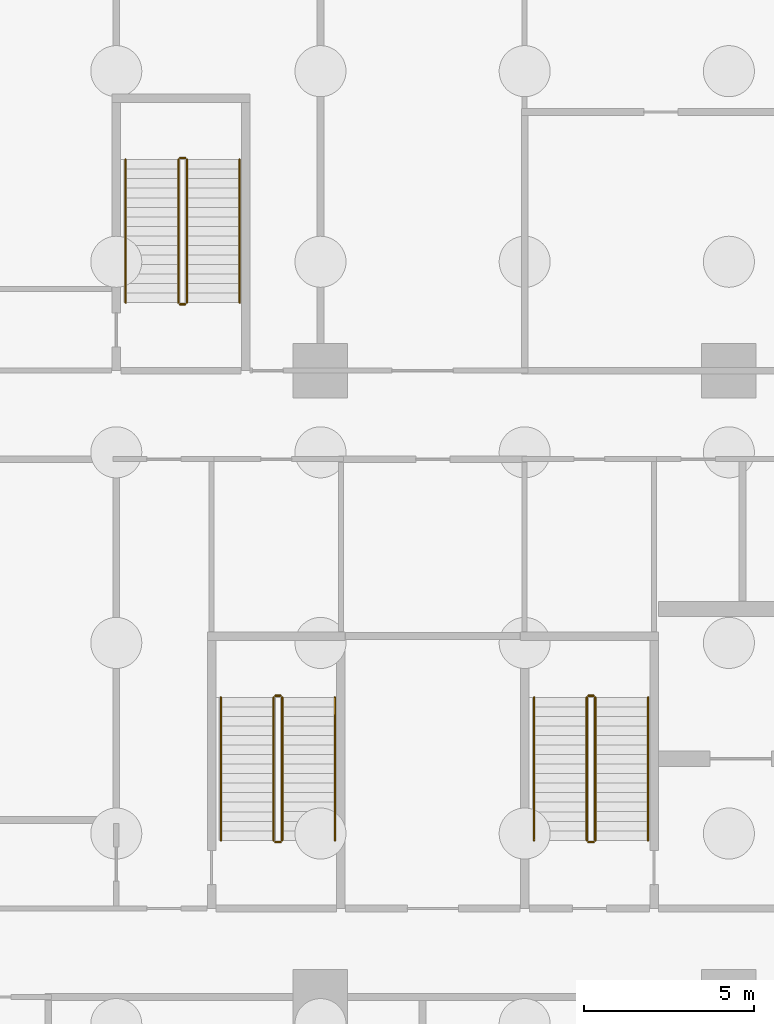
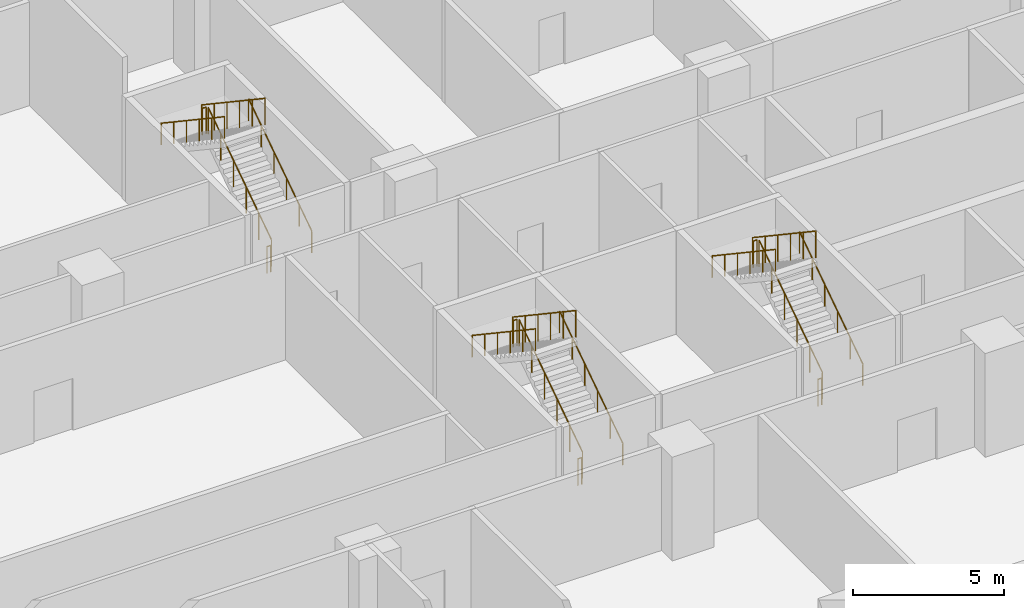
# One storey, part 25 of 27: 18 railings.
"""IFC4 building model written with IfcOpenShell, lengths in metres."""

from ifc_helpers import new_model, si_unit, direction, frame, origin, origin_2d, place, context, subcontext, project, spatial, circle, extrude, material, type_object, element, save


model = new_model("IFC4")

# Units and contexts
model_context = context("Model", 3, precision=1e-05, world=origin(), true_north=direction((0.0, 1.0)))
body_context = subcontext(model_context, "Body", "Model", "MODEL_VIEW")
ifc_project = project(units=[si_unit("LENGTHUNIT", "METRE"), si_unit("AREAUNIT", "SQUARE_METRE"), si_unit("VOLUMEUNIT", "CUBIC_METRE"), si_unit("PLANEANGLEUNIT", "RADIAN"), si_unit("MASSUNIT", "GRAM", prefix="KILO")], contexts=[model_context])

# Site, building, storey
site_placement = place(None, origin())
site = spatial("IfcSite", under=ifc_project, at=site_placement, CompositionType="ELEMENT")
building_placement = place(site_placement, origin())
building = spatial("IfcBuilding", under=site, at=building_placement, Name="Poui Terraces", CompositionType="ELEMENT")
storey_placement = place(building_placement, origin())
storey = spatial("IfcBuildingStorey", under=building, at=storey_placement, Name="L00", CompositionType="ELEMENT", Elevation=0.0)

# Railings
ifc_material_1 = material(Name="Galvanised steel balustrade", Category="steel")
railing_type_1 = type_object("IfcRailingType", Name="STAIR GUARD 1100", PredefinedType="GUARDRAIL", material=ifc_material_1)
railing_1_placement = place(storey_placement, frame((32.074951171875, 16.60009765625, 0.1875)))
element("IfcRailing", 1, at=railing_1_placement, inside=storey, type_object=railing_type_1, Name="L00 ST-CW stair guard 1", PredefinedType="GUARDRAIL", context=body_context, shape_type="SweptSolid", body=[
    extrude(circle(Radius=0.02392578125, at=origin_2d()), frame((0.0, 0.0, 1.076171875), z_axis=(0.0, 0.830904186295, 0.556415522067), x_axis=(-1.0, 0.0, 0.0)), (0.0, 0.0, 1.0), 5.0546875),
    extrude(circle(Radius=0.02099609375, at=origin_2d()), origin(), (0.0, 0.0, 1.0), 1.052001953125),
    extrude(circle(Radius=0.02099609375, at=origin_2d()), frame((0.0, 0.840087890625, 0.5625)), (0.0, 0.0, 1.0), 1.052001953125),
    extrude(circle(Radius=0.02099609375, at=origin_2d()), frame((0.0, 1.679931640625, 1.125)), (0.0, 0.0, 1.0), 1.052001953125),
    extrude(circle(Radius=0.02099609375, at=origin_2d()), frame((0.0, 2.52001953125, 1.6875)), (0.0, 0.0, 1.0), 1.052001953125),
    extrude(circle(Radius=0.02099609375, at=origin_2d()), frame((0.0, 3.35986328125, 2.25)), (0.0, 0.0, 1.0), 1.052001953125),
    extrude(circle(Radius=0.02099609375, at=origin_2d()), frame((0.0, 4.199951171875, 2.8125)), (0.0, 0.0, 1.0), 1.052001953125),
])
railing_2_placement = place(storey_placement, frame((32.02490234375, 20.85009765625, 3.0)))
element("IfcRailing", 2, at=railing_2_placement, inside=storey, type_object=railing_type_1, Name="L00 ST-CW stair guard 2", PredefinedType="GUARDRAIL", context=body_context, shape_type="SweptSolid", body=[
    extrude(circle(Radius=0.02392578125, at=origin_2d()), frame((0.0, 0.0, 1.076171875), z_axis=(-1.0, 0.0, 0.0), x_axis=(0.0, -1.0, 0.0)), (0.0, 0.0, 1.0), 0.14990234375),
    extrude(circle(Radius=0.02099609375, at=origin_2d()), origin(), (0.0, 0.0, 1.0), 1.052001953125),
    extrude(circle(Radius=0.02099609375, at=origin_2d()), frame((-0.14990234375, 0.0, 0.0)), (0.0, 0.0, 1.0), 1.052001953125),
])
railing_3_placement = place(storey_placement, frame((31.824951171875, 20.800048828125, 3.1875)))
element("IfcRailing", 3, at=railing_3_placement, inside=storey, type_object=railing_type_1, Name="L00 ST-CW stair guard 3", PredefinedType="GUARDRAIL", context=body_context, shape_type="SweptSolid", body=[
    extrude(circle(Radius=0.02392578125, at=origin_2d()), frame((0.0, 0.0, 1.076171875), z_axis=(0.0, -0.830904186295, 0.556415522067), x_axis=(1.0, 0.0, 0.0)), (0.0, 0.0, 1.0), 5.0546875),
    extrude(circle(Radius=0.02099609375, at=origin_2d()), origin(), (0.0, 0.0, 1.0), 1.052001953125),
    extrude(circle(Radius=0.02099609375, at=origin_2d()), frame((0.0, -0.840087890625, 0.5625)), (0.0, 0.0, 1.0), 1.052001953125),
    extrude(circle(Radius=0.02099609375, at=origin_2d()), frame((0.0, -1.679931640625, 1.125)), (0.0, 0.0, 1.0), 1.052001953125),
    extrude(circle(Radius=0.02099609375, at=origin_2d()), frame((0.0, -2.52001953125, 1.6875)), (0.0, 0.0, 1.0), 1.052001953125),
    extrude(circle(Radius=0.02099609375, at=origin_2d()), frame((0.0, -3.35986328125, 2.25)), (0.0, 0.0, 1.0), 1.052001953125),
    extrude(circle(Radius=0.02099609375, at=origin_2d()), frame((0.0, -4.199951171875, 2.8125)), (0.0, 0.0, 1.0), 1.052001953125),
])
railing_4_placement = place(storey_placement, frame((32.02490234375, 16.550048828125, 0.0)))
element("IfcRailing", 4, at=railing_4_placement, inside=storey, type_object=railing_type_1, Name="L00 ST-CW stair guard 4", PredefinedType="GUARDRAIL", context=body_context, shape_type="SweptSolid", body=[
    extrude(circle(Radius=0.02392578125, at=origin_2d()), frame((0.0, 0.0, 1.076171875), z_axis=(-1.0, 0.0, 0.0), x_axis=(0.0, -1.0, 0.0)), (0.0, 0.0, 1.0), 0.14990234375),
    extrude(circle(Radius=0.02099609375, at=origin_2d()), origin(), (0.0, 0.0, 1.0), 1.052001953125),
    extrude(circle(Radius=0.02099609375, at=origin_2d()), frame((-0.14990234375, 0.0, 0.0)), (0.0, 0.0, 1.0), 1.052001953125),
])
railing_5_placement = place(storey_placement, frame((22.875, 16.60009765625, 0.1875)))
element("IfcRailing", 5, at=railing_5_placement, inside=storey, type_object=railing_type_1, Name="L00 ST-W stair guard 1", PredefinedType="GUARDRAIL", context=body_context, shape_type="SweptSolid", body=[
    extrude(circle(Radius=0.02392578125, at=origin_2d()), frame((0.0, 0.0, 1.076171875), z_axis=(0.0, 0.830904186295, 0.556415522067), x_axis=(-1.0, 0.0, 0.0)), (0.0, 0.0, 1.0), 5.0546875),
    extrude(circle(Radius=0.02099609375, at=origin_2d()), origin(), (0.0, 0.0, 1.0), 1.052001953125),
    extrude(circle(Radius=0.02099609375, at=origin_2d()), frame((0.0, 0.840087890625, 0.5625)), (0.0, 0.0, 1.0), 1.052001953125),
    extrude(circle(Radius=0.02099609375, at=origin_2d()), frame((0.0, 1.679931640625, 1.125)), (0.0, 0.0, 1.0), 1.052001953125),
    extrude(circle(Radius=0.02099609375, at=origin_2d()), frame((0.0, 2.52001953125, 1.6875)), (0.0, 0.0, 1.0), 1.052001953125),
    extrude(circle(Radius=0.02099609375, at=origin_2d()), frame((0.0, 3.35986328125, 2.25)), (0.0, 0.0, 1.0), 1.052001953125),
    extrude(circle(Radius=0.02099609375, at=origin_2d()), frame((0.0, 4.199951171875, 2.8125)), (0.0, 0.0, 1.0), 1.052001953125),
])
railing_6_placement = place(storey_placement, frame((22.824951171875, 20.85009765625, 3.0)))
element("IfcRailing", 6, at=railing_6_placement, inside=storey, type_object=railing_type_1, Name="L00 ST-W stair guard 2", PredefinedType="GUARDRAIL", context=body_context, shape_type="SweptSolid", body=[
    extrude(circle(Radius=0.02392578125, at=origin_2d()), frame((0.0, 0.0, 1.076171875), z_axis=(-1.0, 0.0, 0.0), x_axis=(0.0, -1.0, 0.0)), (0.0, 0.0, 1.0), 0.14990234375),
    extrude(circle(Radius=0.02099609375, at=origin_2d()), origin(), (0.0, 0.0, 1.0), 1.052001953125),
    extrude(circle(Radius=0.02099609375, at=origin_2d()), frame((-0.14990234375, 0.0, 0.0)), (0.0, 0.0, 1.0), 1.052001953125),
])
railing_7_placement = place(storey_placement, frame((22.625, 20.800048828125, 3.1875)))
element("IfcRailing", 7, at=railing_7_placement, inside=storey, type_object=railing_type_1, Name="L00 ST-W stair guard 3", PredefinedType="GUARDRAIL", context=body_context, shape_type="SweptSolid", body=[
    extrude(circle(Radius=0.02392578125, at=origin_2d()), frame((0.0, 0.0, 1.076171875), z_axis=(0.0, -0.830904186295, 0.556415522067), x_axis=(1.0, 0.0, 0.0)), (0.0, 0.0, 1.0), 5.0546875),
    extrude(circle(Radius=0.02099609375, at=origin_2d()), origin(), (0.0, 0.0, 1.0), 1.052001953125),
    extrude(circle(Radius=0.02099609375, at=origin_2d()), frame((0.0, -0.840087890625, 0.5625)), (0.0, 0.0, 1.0), 1.052001953125),
    extrude(circle(Radius=0.02099609375, at=origin_2d()), frame((0.0, -1.679931640625, 1.125)), (0.0, 0.0, 1.0), 1.052001953125),
    extrude(circle(Radius=0.02099609375, at=origin_2d()), frame((0.0, -2.52001953125, 1.6875)), (0.0, 0.0, 1.0), 1.052001953125),
    extrude(circle(Radius=0.02099609375, at=origin_2d()), frame((0.0, -3.35986328125, 2.25)), (0.0, 0.0, 1.0), 1.052001953125),
    extrude(circle(Radius=0.02099609375, at=origin_2d()), frame((0.0, -4.199951171875, 2.8125)), (0.0, 0.0, 1.0), 1.052001953125),
])
railing_8_placement = place(storey_placement, frame((22.824951171875, 16.550048828125, 0.0)))
element("IfcRailing", 8, at=railing_8_placement, inside=storey, type_object=railing_type_1, Name="L00 ST-W stair guard 4", PredefinedType="GUARDRAIL", context=body_context, shape_type="SweptSolid", body=[
    extrude(circle(Radius=0.02392578125, at=origin_2d()), frame((0.0, 0.0, 1.076171875), z_axis=(-1.0, 0.0, 0.0), x_axis=(0.0, -1.0, 0.0)), (0.0, 0.0, 1.0), 0.14990234375),
    extrude(circle(Radius=0.02099609375, at=origin_2d()), origin(), (0.0, 0.0, 1.0), 1.052001953125),
    extrude(circle(Radius=0.02099609375, at=origin_2d()), frame((-0.14990234375, 0.0, 0.0)), (0.0, 0.0, 1.0), 1.052001953125),
])
railing_9_placement = place(storey_placement, frame((20.074951171875, 32.39990234375, 0.1875)))
element("IfcRailing", 9, at=railing_9_placement, inside=storey, type_object=railing_type_1, Name="L00 ST-N1 stair guard 1", PredefinedType="GUARDRAIL", context=body_context, shape_type="SweptSolid", body=[
    extrude(circle(Radius=0.02392578125, at=origin_2d()), frame((0.0, 0.0, 1.076171875), z_axis=(0.0, 0.830919138977, 0.55639319234), x_axis=(-1.0, 0.0, 0.0)), (0.0, 0.0, 1.0), 5.054931640625),
    extrude(circle(Radius=0.02099609375, at=origin_2d()), origin(), (0.0, 0.0, 1.0), 1.052001953125),
    extrude(circle(Radius=0.02099609375, at=origin_2d()), frame((0.0, 0.840087890625, 0.5625)), (0.0, 0.0, 1.0), 1.052001953125),
    extrude(circle(Radius=0.02099609375, at=origin_2d()), frame((0.0, 1.68017578125, 1.125)), (0.0, 0.0, 1.0), 1.052001953125),
    extrude(circle(Radius=0.02099609375, at=origin_2d()), frame((0.0, 2.52001953125, 1.6875)), (0.0, 0.0, 1.0), 1.052001953125),
    extrude(circle(Radius=0.02099609375, at=origin_2d()), frame((0.0, 3.360107421875, 2.25)), (0.0, 0.0, 1.0), 1.052001953125),
    extrude(circle(Radius=0.02099609375, at=origin_2d()), frame((0.0, 4.2001953125, 2.8125)), (0.0, 0.0, 1.0), 1.052001953125),
])
railing_10_placement = place(storey_placement, frame((20.02490234375, 36.64990234375, 3.0)))
element("IfcRailing", 10, at=railing_10_placement, inside=storey, type_object=railing_type_1, Name="L00 ST-N1 stair guard 2", PredefinedType="GUARDRAIL", context=body_context, shape_type="SweptSolid", body=[
    extrude(circle(Radius=0.02392578125, at=origin_2d()), frame((0.0, 0.0, 1.076171875), z_axis=(-1.0, 0.0, 0.0), x_axis=(0.0, -1.0, 0.0)), (0.0, 0.0, 1.0), 0.14990234375),
    extrude(circle(Radius=0.02099609375, at=origin_2d()), origin(), (0.0, 0.0, 1.0), 1.052001953125),
    extrude(circle(Radius=0.02099609375, at=origin_2d()), frame((-0.14990234375, 0.0, 0.0)), (0.0, 0.0, 1.0), 1.052001953125),
])
railing_11_placement = place(storey_placement, frame((19.824951171875, 36.60009765625, 3.1875)))
element("IfcRailing", 11, at=railing_11_placement, inside=storey, type_object=railing_type_1, Name="L00 ST-N1 stair guard 3", PredefinedType="GUARDRAIL", context=body_context, shape_type="SweptSolid", body=[
    extrude(circle(Radius=0.02392578125, at=origin_2d()), frame((0.0, 0.0, 1.076171875), z_axis=(0.0, -0.830919138977, 0.55639319234), x_axis=(1.0, 0.0, 0.0)), (0.0, 0.0, 1.0), 5.054931640625),
    extrude(circle(Radius=0.02099609375, at=origin_2d()), origin(), (0.0, 0.0, 1.0), 1.052001953125),
    extrude(circle(Radius=0.02099609375, at=origin_2d()), frame((0.0, -0.840087890625, 0.5625)), (0.0, 0.0, 1.0), 1.052001953125),
    extrude(circle(Radius=0.02099609375, at=origin_2d()), frame((0.0, -1.68017578125, 1.125)), (0.0, 0.0, 1.0), 1.052001953125),
    extrude(circle(Radius=0.02099609375, at=origin_2d()), frame((0.0, -2.52001953125, 1.6875)), (0.0, 0.0, 1.0), 1.052001953125),
    extrude(circle(Radius=0.02099609375, at=origin_2d()), frame((0.0, -3.360107421875, 2.25)), (0.0, 0.0, 1.0), 1.052001953125),
    extrude(circle(Radius=0.02099609375, at=origin_2d()), frame((0.0, -4.2001953125, 2.8125)), (0.0, 0.0, 1.0), 1.052001953125),
])
railing_12_placement = place(storey_placement, frame((20.02490234375, 32.35009765625, 0.0)))
element("IfcRailing", 12, at=railing_12_placement, inside=storey, type_object=railing_type_1, Name="L00 ST-N1 stair guard 4", PredefinedType="GUARDRAIL", context=body_context, shape_type="SweptSolid", body=[
    extrude(circle(Radius=0.02392578125, at=origin_2d()), frame((0.0, 0.0, 1.076171875), z_axis=(-1.0, 0.0, 0.0), x_axis=(0.0, -1.0, 0.0)), (0.0, 0.0, 1.0), 0.14990234375),
    extrude(circle(Radius=0.02099609375, at=origin_2d()), origin(), (0.0, 0.0, 1.0), 1.052001953125),
    extrude(circle(Radius=0.02099609375, at=origin_2d()), frame((-0.14990234375, 0.0, 0.0)), (0.0, 0.0, 1.0), 1.052001953125),
])
ifc_material_2 = material(Name="Stainless steel handrail", Category="steel")
railing_type_2 = type_object("IfcRailingType", Name="STAIR HANDRAIL 900", PredefinedType="HANDRAIL", material=ifc_material_2)
railing_13_placement = place(storey_placement, frame((33.625, 16.60009765625, 0.1875)))
element("IfcRailing", 13, at=railing_13_placement, inside=storey, type_object=railing_type_2, Name="L00 ST-CW stair handrail 1", PredefinedType="HANDRAIL", context=body_context, shape_type="SweptSolid", body=[
    extrude(circle(Radius=0.02392578125, at=origin_2d()), frame((0.0, 0.0, 0.8759765625), z_axis=(0.0, 0.830904186295, 0.556415522067), x_axis=(-1.0, 0.0, 0.0)), (0.0, 0.0, 1.0), 5.0546875),
    extrude(circle(Radius=0.02099609375, at=origin_2d()), origin(), (0.0, 0.0, 1.0), 0.851806640625),
    extrude(circle(Radius=0.02099609375, at=origin_2d()), frame((0.0, 0.840087890625, 0.5625)), (0.0, 0.0, 1.0), 0.851806640625),
    extrude(circle(Radius=0.02099609375, at=origin_2d()), frame((0.0, 1.679931640625, 1.125)), (0.0, 0.0, 1.0), 0.851806640625),
    extrude(circle(Radius=0.02099609375, at=origin_2d()), frame((0.0, 2.52001953125, 1.6875)), (0.0, 0.0, 1.0), 0.851806640625),
    extrude(circle(Radius=0.02099609375, at=origin_2d()), frame((0.0, 3.35986328125, 2.25)), (0.0, 0.0, 1.0), 0.851806640625),
    extrude(circle(Radius=0.02099609375, at=origin_2d()), frame((0.0, 4.199951171875, 2.8125)), (0.0, 0.0, 1.0), 0.851806640625),
])
railing_14_placement = place(storey_placement, frame((30.27490234375, 20.800048828125, 3.1875)))
element("IfcRailing", 14, at=railing_14_placement, inside=storey, type_object=railing_type_2, Name="L00 ST-CW stair handrail 2", PredefinedType="HANDRAIL", context=body_context, shape_type="SweptSolid", body=[
    extrude(circle(Radius=0.02392578125, at=origin_2d()), frame((0.0, 0.0, 0.8759765625), z_axis=(0.0, -0.830904186295, 0.556415522067), x_axis=(1.0, 0.0, 0.0)), (0.0, 0.0, 1.0), 5.0546875),
    extrude(circle(Radius=0.02099609375, at=origin_2d()), origin(), (0.0, 0.0, 1.0), 0.851806640625),
    extrude(circle(Radius=0.02099609375, at=origin_2d()), frame((0.0, -0.840087890625, 0.5625)), (0.0, 0.0, 1.0), 0.851806640625),
    extrude(circle(Radius=0.02099609375, at=origin_2d()), frame((0.0, -1.679931640625, 1.125)), (0.0, 0.0, 1.0), 0.851806640625),
    extrude(circle(Radius=0.02099609375, at=origin_2d()), frame((0.0, -2.52001953125, 1.6875)), (0.0, 0.0, 1.0), 0.851806640625),
    extrude(circle(Radius=0.02099609375, at=origin_2d()), frame((0.0, -3.35986328125, 2.25)), (0.0, 0.0, 1.0), 0.851806640625),
    extrude(circle(Radius=0.02099609375, at=origin_2d()), frame((0.0, -4.199951171875, 2.8125)), (0.0, 0.0, 1.0), 0.851806640625),
])
railing_15_placement = place(storey_placement, frame((24.425048828125, 16.60009765625, 0.1875)))
element("IfcRailing", 15, at=railing_15_placement, inside=storey, type_object=railing_type_2, Name="L00 ST-W stair handrail 1", PredefinedType="HANDRAIL", context=body_context, shape_type="SweptSolid", body=[
    extrude(circle(Radius=0.02392578125, at=origin_2d()), frame((0.0, 0.0, 0.8759765625), z_axis=(0.0, 0.830904186295, 0.556415522067), x_axis=(-1.0, 0.0, 0.0)), (0.0, 0.0, 1.0), 5.0546875),
    extrude(circle(Radius=0.02099609375, at=origin_2d()), origin(), (0.0, 0.0, 1.0), 0.851806640625),
    extrude(circle(Radius=0.02099609375, at=origin_2d()), frame((0.0, 0.840087890625, 0.5625)), (0.0, 0.0, 1.0), 0.851806640625),
    extrude(circle(Radius=0.02099609375, at=origin_2d()), frame((0.0, 1.679931640625, 1.125)), (0.0, 0.0, 1.0), 0.851806640625),
    extrude(circle(Radius=0.02099609375, at=origin_2d()), frame((0.0, 2.52001953125, 1.6875)), (0.0, 0.0, 1.0), 0.851806640625),
    extrude(circle(Radius=0.02099609375, at=origin_2d()), frame((0.0, 3.35986328125, 2.25)), (0.0, 0.0, 1.0), 0.851806640625),
    extrude(circle(Radius=0.02099609375, at=origin_2d()), frame((0.0, 4.199951171875, 2.8125)), (0.0, 0.0, 1.0), 0.851806640625),
])
railing_16_placement = place(storey_placement, frame((21.074951171875, 20.800048828125, 3.1875)))
element("IfcRailing", 16, at=railing_16_placement, inside=storey, type_object=railing_type_2, Name="L00 ST-W stair handrail 2", PredefinedType="HANDRAIL", context=body_context, shape_type="SweptSolid", body=[
    extrude(circle(Radius=0.02392578125, at=origin_2d()), frame((0.0, 0.0, 0.8759765625), z_axis=(0.0, -0.830904186295, 0.556415522067), x_axis=(1.0, 0.0, 0.0)), (0.0, 0.0, 1.0), 5.0546875),
    extrude(circle(Radius=0.02099609375, at=origin_2d()), origin(), (0.0, 0.0, 1.0), 0.851806640625),
    extrude(circle(Radius=0.02099609375, at=origin_2d()), frame((0.0, -0.840087890625, 0.5625)), (0.0, 0.0, 1.0), 0.851806640625),
    extrude(circle(Radius=0.02099609375, at=origin_2d()), frame((0.0, -1.679931640625, 1.125)), (0.0, 0.0, 1.0), 0.851806640625),
    extrude(circle(Radius=0.02099609375, at=origin_2d()), frame((0.0, -2.52001953125, 1.6875)), (0.0, 0.0, 1.0), 0.851806640625),
    extrude(circle(Radius=0.02099609375, at=origin_2d()), frame((0.0, -3.35986328125, 2.25)), (0.0, 0.0, 1.0), 0.851806640625),
    extrude(circle(Radius=0.02099609375, at=origin_2d()), frame((0.0, -4.199951171875, 2.8125)), (0.0, 0.0, 1.0), 0.851806640625),
])
railing_17_placement = place(storey_placement, frame((21.625, 32.39990234375, 0.1875)))
element("IfcRailing", 17, at=railing_17_placement, inside=storey, type_object=railing_type_2, Name="L00 ST-N1 stair handrail 1", PredefinedType="HANDRAIL", context=body_context, shape_type="SweptSolid", body=[
    extrude(circle(Radius=0.02392578125, at=origin_2d()), frame((0.0, 0.0, 0.8759765625), z_axis=(0.0, 0.830919138977, 0.55639319234), x_axis=(-1.0, 0.0, 0.0)), (0.0, 0.0, 1.0), 5.054931640625),
    extrude(circle(Radius=0.02099609375, at=origin_2d()), origin(), (0.0, 0.0, 1.0), 0.851806640625),
    extrude(circle(Radius=0.02099609375, at=origin_2d()), frame((0.0, 0.840087890625, 0.5625)), (0.0, 0.0, 1.0), 0.851806640625),
    extrude(circle(Radius=0.02099609375, at=origin_2d()), frame((0.0, 1.68017578125, 1.125)), (0.0, 0.0, 1.0), 0.851806640625),
    extrude(circle(Radius=0.02099609375, at=origin_2d()), frame((0.0, 2.52001953125, 1.6875)), (0.0, 0.0, 1.0), 0.851806640625),
    extrude(circle(Radius=0.02099609375, at=origin_2d()), frame((0.0, 3.360107421875, 2.25)), (0.0, 0.0, 1.0), 0.851806640625),
    extrude(circle(Radius=0.02099609375, at=origin_2d()), frame((0.0, 4.2001953125, 2.8125)), (0.0, 0.0, 1.0), 0.851806640625),
])
railing_18_placement = place(storey_placement, frame((18.27490234375, 36.60009765625, 3.1875)))
element("IfcRailing", 18, at=railing_18_placement, inside=storey, type_object=railing_type_2, Name="L00 ST-N1 stair handrail 2", PredefinedType="HANDRAIL", context=body_context, shape_type="SweptSolid", body=[
    extrude(circle(Radius=0.02392578125, at=origin_2d()), frame((0.0, 0.0, 0.8759765625), z_axis=(0.0, -0.830919138977, 0.55639319234), x_axis=(1.0, 0.0, 0.0)), (0.0, 0.0, 1.0), 5.054931640625),
    extrude(circle(Radius=0.02099609375, at=origin_2d()), origin(), (0.0, 0.0, 1.0), 0.851806640625),
    extrude(circle(Radius=0.02099609375, at=origin_2d()), frame((0.0, -0.840087890625, 0.5625)), (0.0, 0.0, 1.0), 0.851806640625),
    extrude(circle(Radius=0.02099609375, at=origin_2d()), frame((0.0, -1.68017578125, 1.125)), (0.0, 0.0, 1.0), 0.851806640625),
    extrude(circle(Radius=0.02099609375, at=origin_2d()), frame((0.0, -2.52001953125, 1.6875)), (0.0, 0.0, 1.0), 0.851806640625),
    extrude(circle(Radius=0.02099609375, at=origin_2d()), frame((0.0, -3.360107421875, 2.25)), (0.0, 0.0, 1.0), 0.851806640625),
    extrude(circle(Radius=0.02099609375, at=origin_2d()), frame((0.0, -4.2001953125, 2.8125)), (0.0, 0.0, 1.0), 0.851806640625),
])

save(model, "model.ifc")
